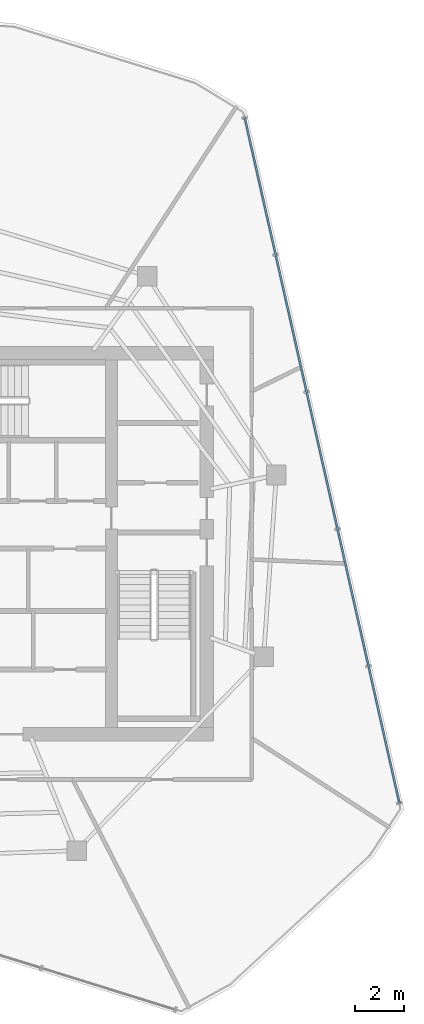
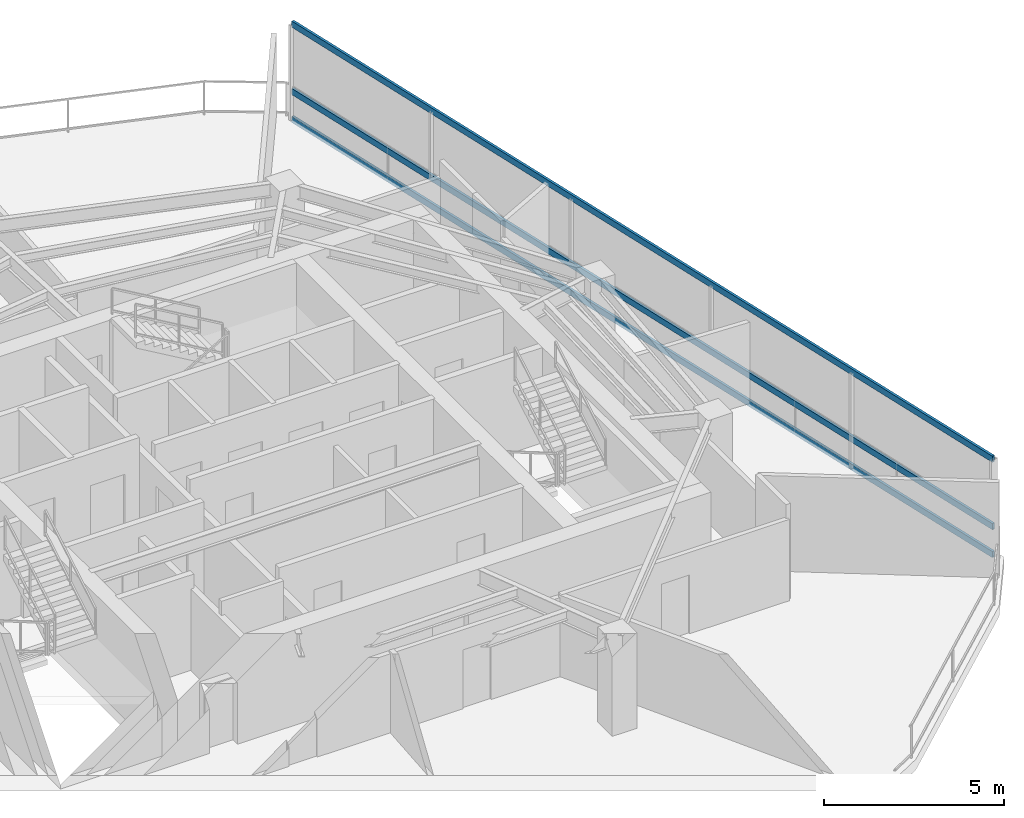
# One storey, part 9 of 19: 3 members, 1 element without a shape of its own.
"""IFC4 building model written with IfcOpenShell, lengths in metres."""

from ifc_helpers import new_model, si_unit, direction, frame, origin, origin_2d, place, context, subcontext, project, spatial, hollow_rectangle, extrude, material, layer, layer_set, material_profile, profile_set, type_object, element, aggregate, save


model = new_model("IFC4")

# Units and contexts
model_context = context("Model", 3, precision=1e-05, world=origin(), true_north=direction((0.0, 1.0)))
body_context = subcontext(model_context, "Body", "Model", "MODEL_VIEW")
ifc_project = project(units=[si_unit("LENGTHUNIT", "METRE"), si_unit("AREAUNIT", "SQUARE_METRE"), si_unit("VOLUMEUNIT", "CUBIC_METRE"), si_unit("PLANEANGLEUNIT", "RADIAN"), si_unit("MASSUNIT", "GRAM", prefix="KILO")], contexts=[model_context])

# Site, building, storey
site_placement = place(None, origin())
site = spatial("IfcSite", under=ifc_project, at=site_placement, CompositionType="ELEMENT")
building_placement = place(site_placement, origin())
building = spatial("IfcBuilding", under=site, at=building_placement, Name="Qarnah Convention Tower", CompositionType="ELEMENT")
storey_placement = place(building_placement, frame((0.0, 0.0, 228.300048828125)))
storey = spatial("IfcBuildingStorey", under=building, at=storey_placement, Name="L61", CompositionType="ELEMENT", Elevation=228.300048828125)

# Curtain wall, members
ifc_material_1 = material(Name="Tempered Low-E dark glass", Category="glass")
ifc_layer = layer(ifc_material_1, 0.176025390625)
ifc_layer_set = layer_set([ifc_layer], Name="Tempered Low-E dark glass")
curtain_wall_type = type_object("IfcCurtainWallType", Name="CWS-05", PredefinedType="NOTDEFINED", material=ifc_layer_set)
curtain_wall_placement = place(storey_placement, origin())
curtain_wall = element("IfcCurtainWall", 1, at=curtain_wall_placement, inside=storey, type_object=curtain_wall_type, Name="L61 unitised curtain wall CW-L61-F2", PredefinedType="NOTDEFINED")
ifc_material_2 = material(Name="Black anodised aluminium", Category="aluminium")
ifc_material_profile = material_profile(ifc_material_2, hollow_rectangle(XDim=0.080078125, YDim=0.2099609375, WallThickness=0.0048828125, at=origin_2d()), Name="TRN-80X210")
ifc_profile_set = profile_set([ifc_material_profile], Name="Black anodised aluminium")
member_type = type_object("IfcMemberType", Name="TRN-T5", PredefinedType="USERDEFINED", material=ifc_profile_set)
member_1_placement = place(storey_placement, frame((49.1650390625, 43.843994140625, 0.0), z_axis=(0.220180889415, -0.975459059078, 0.0), x_axis=(0.975459059078, 0.220180889415, 0.0)))
member_1 = element("IfcMember", 2, at=member_1_placement, type_object=member_type, Name="CW-L61-F2 transom 1", ObjectType="TRANSOM", PredefinedType="USERDEFINED", context=body_context, shape_type="SweptSolid", body=[
    extrude(hollow_rectangle(XDim=0.080078125, YDim=0.2099609375, WallThickness=0.0048828125, at=origin_2d()), origin(), (0.0, 0.0, 1.0), 28.7626953125),
])
member_2_placement = place(storey_placement, frame((49.1650390625, 43.843994140625, 0.949951171875), z_axis=(0.220180889415, -0.975459059078, 0.0), x_axis=(0.975459059078, 0.220180889415, 0.0)))
member_2 = element("IfcMember", 3, at=member_2_placement, type_object=member_type, Name="CW-L61-F2 transom 2", ObjectType="TRANSOM", PredefinedType="USERDEFINED", context=body_context, shape_type="SweptSolid", body=[
    extrude(hollow_rectangle(XDim=0.080078125, YDim=0.2099609375, WallThickness=0.0048828125, at=origin_2d()), origin(), (0.0, 0.0, 1.0), 28.7626953125),
])
member_3_placement = place(storey_placement, frame((49.1650390625, 43.843994140625, 3.239990234375), z_axis=(0.220180889415, -0.975459059078, 0.0), x_axis=(0.975459059078, 0.220180889415, 0.0)))
member_3 = element("IfcMember", 4, at=member_3_placement, type_object=member_type, Name="CW-L61-F2 transom 3", ObjectType="TRANSOM", PredefinedType="USERDEFINED", context=body_context, shape_type="SweptSolid", body=[
    extrude(hollow_rectangle(XDim=0.080078125, YDim=0.2099609375, WallThickness=0.0048828125, at=origin_2d()), origin(), (0.0, 0.0, 1.0), 28.7626953125),
])
aggregate(curtain_wall, [member_1, member_2, member_3])

save(model, "model.ifc")
